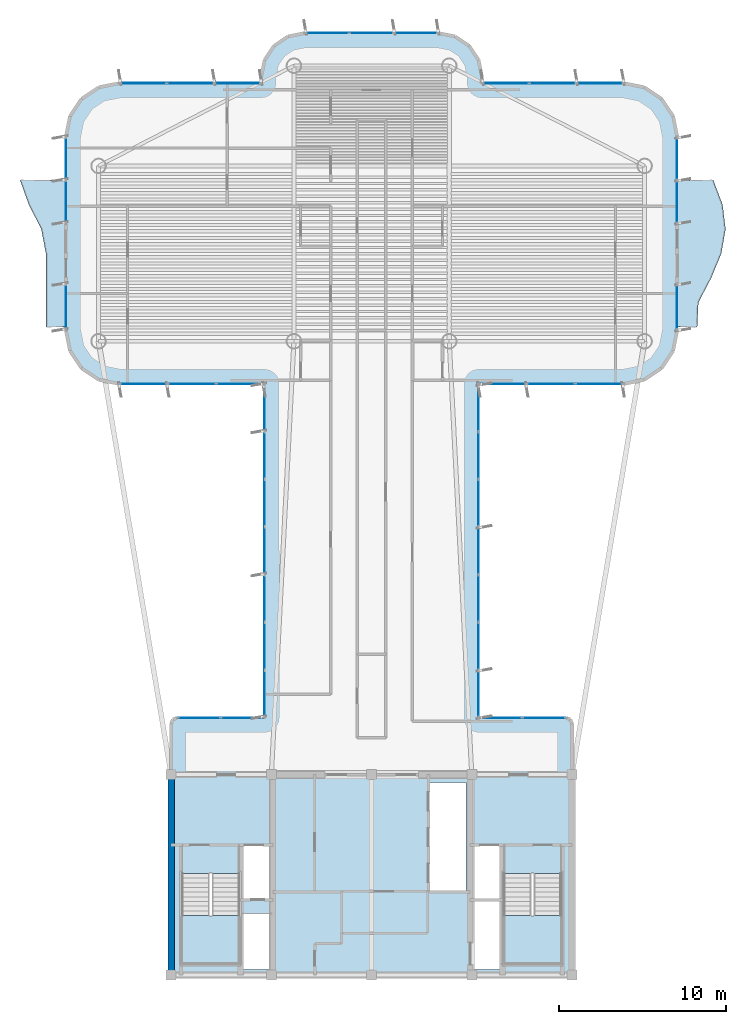
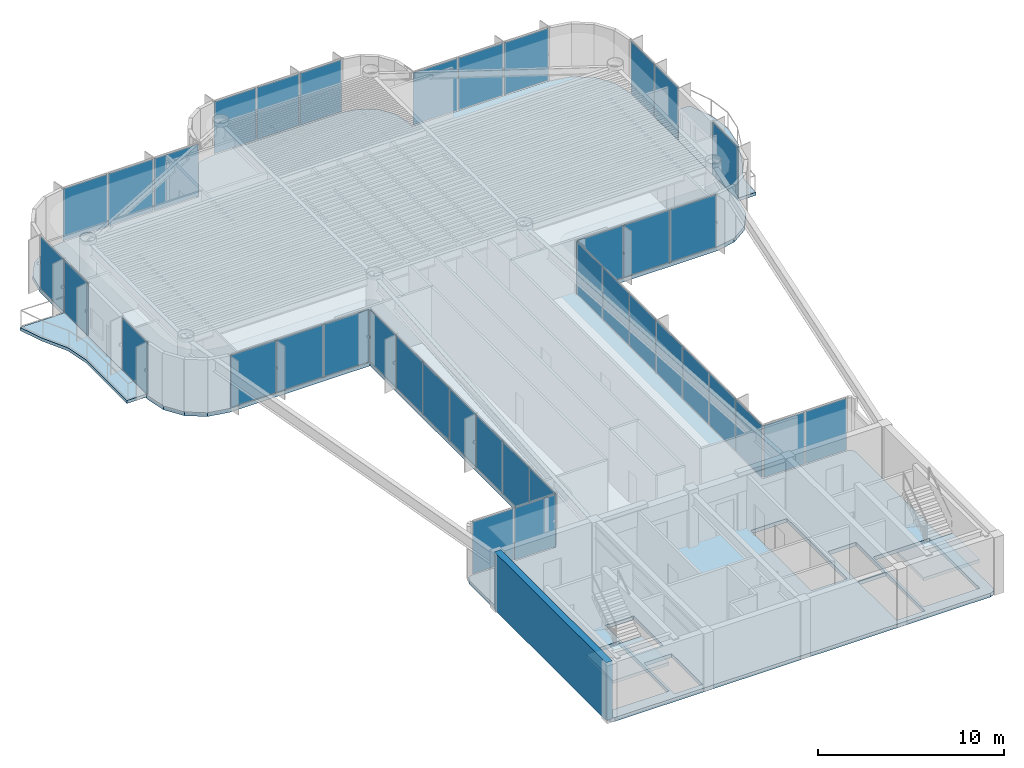
# One storey, part 9 of 15: 39 plates, 5 slabs, 1 wall, 15 elements without a shape of their own.
"""IFC4 building model written with IfcOpenShell, lengths in metres."""

from ifc_helpers import new_model, si_unit, direction, frame, frame_2d, origin, origin_2d, place, context, subcontext, project, spatial, polyline, rectangle, outline, extrude, source, transform, mapped, material, layer, layer_set, type_object, element, aggregate, save


model = new_model("IFC4")

# Units and contexts
model_context = context("Model", 3, precision=1e-05, world=origin(), true_north=direction((0.0, 1.0)))
body_context = subcontext(model_context, "Body", "Model", "MODEL_VIEW")
ifc_project = project(units=[si_unit("LENGTHUNIT", "METRE"), si_unit("AREAUNIT", "SQUARE_METRE"), si_unit("VOLUMEUNIT", "CUBIC_METRE"), si_unit("PLANEANGLEUNIT", "RADIAN"), si_unit("MASSUNIT", "GRAM", prefix="KILO")], contexts=[model_context])

# Site, building, storey
site_placement = place(None, origin())
site = spatial("IfcSite", under=ifc_project, at=site_placement, CompositionType="ELEMENT")
building_placement = place(site_placement, origin())
building = spatial("IfcBuilding", under=site, at=building_placement, Name="Brelvock Crest Care Tower", CompositionType="ELEMENT")
storey_placement = place(building_placement, frame((0.0, 0.0, 275.93994140625)))
storey = spatial("IfcBuildingStorey", under=building, at=storey_placement, Name="L70", CompositionType="ELEMENT", Elevation=275.93994140625)

# Slabs
ifc_material_1 = material(Name="Concrete N50 (50 MPa)", Category="concrete")
ifc_layer_1 = layer(ifc_material_1, 0.25, Name="SLB-FL3")
ifc_layer_set_1 = layer_set([ifc_layer_1], Name="Concrete N50 (50 MPa)")
slab_type_1 = type_object("IfcSlabType", Name="SLB-FL3", PredefinedType="FLOOR", material=ifc_layer_set_1)
slab_1_placement = place(storey_placement, frame((0.0, 0.0, -0.25)))
element("IfcSlab", 1, at=slab_1_placement, inside=storey, type_object=slab_type_1, Name="L70 Main Structural Slab", PredefinedType="FLOOR", context=body_context, shape_type="SweptSolid", body=[
    extrude(outline(polyline([(47.64990234375, 21.39990234375), (42.39990234375, 21.39990234375), (42.39990234375, 41.39990234375), (51.10009765625, 41.39990234375), (52.32470703125, 41.6435546875), (53.36279296875, 42.33740234375), (54.056396484375, 43.37548828125), (54.300048828125, 44.60009765625), (54.300048828125, 56.199951171875), (54.056396484375, 57.424560546875), (53.36279296875, 58.462646484375), (52.32470703125, 59.156494140625), (51.10009765625, 59.39990234375), (42.60009765625, 59.39990234375), (42.60009765625, 59.800048828125), (42.402099609375, 60.794921875), (41.83837890625, 61.638427734375), (40.9951171875, 62.2021484375), (40.0, 62.39990234375), (32.0, 62.39990234375), (31.0048828125, 62.2021484375), (30.16162109375, 61.638427734375), (29.597900390625, 60.794921875), (29.39990234375, 59.800048828125), (29.39990234375, 59.39990234375), (20.89990234375, 59.39990234375), (19.67529296875, 59.156494140625), (18.63720703125, 58.462646484375), (17.943603515625, 57.424560546875), (17.699951171875, 56.199951171875), (17.699951171875, 44.60009765625), (17.943603515625, 43.37548828125), (18.63720703125, 42.33740234375), (19.67529296875, 41.6435546875), (20.89990234375, 41.39990234375), (29.60009765625, 41.39990234375), (29.60009765625, 21.39990234375), (24.35009765625, 21.39990234375), (24.1025390625, 21.297607421875), (24.0, 21.050048828125), (24.0, 6.35009765625), (24.1025390625, 6.1025390625), (24.35009765625, 6.0), (47.64990234375, 6.0), (47.8974609375, 6.1025390625), (48.0, 6.35009765625), (48.0, 21.050048828125), (47.8974609375, 21.297607421875), (47.64990234375, 21.39990234375)]), holes=[polyline([(28.239990234375, 10.580078125), (29.97998046875, 10.580078125), (29.97998046875, 13.739990234375), (28.239990234375, 13.739990234375), (28.239990234375, 10.580078125)]), polyline([(42.02001953125, 10.580078125), (43.760009765625, 10.580078125), (43.760009765625, 13.739990234375), (42.02001953125, 13.739990234375), (42.02001953125, 10.580078125)]), polyline([(28.239990234375, 6.340087890625), (29.97998046875, 6.340087890625), (29.97998046875, 9.64990234375), (28.239990234375, 9.64990234375), (28.239990234375, 6.340087890625)]), polyline([(24.6298828125, 12.080078125), (24.6298828125, 6.699951171875), (28.110107421875, 6.699951171875), (28.110107421875, 12.080078125), (24.6298828125, 12.080078125)]), polyline([(43.889892578125, 12.080078125), (43.889892578125, 6.699951171875), (47.3701171875, 6.699951171875), (47.3701171875, 12.080078125), (43.889892578125, 12.080078125)]), polyline([(42.02001953125, 6.340087890625), (43.760009765625, 6.340087890625), (43.760009765625, 10.5), (42.02001953125, 10.5), (42.02001953125, 6.340087890625)]), polyline([(39.429931640625, 11.030029296875), (41.669921875, 11.030029296875), (41.669921875, 17.52001953125), (39.429931640625, 17.52001953125), (39.429931640625, 11.030029296875)])]), origin(), (0.0, 0.0, 1.0), 0.25),
])
ifc_layer_2 = layer(ifc_material_1, 0.199951171875, Name="SLB-WB2")
ifc_layer_set_2 = layer_set([ifc_layer_2], Name="Concrete N50 (50 MPa)")
slab_type_2 = type_object("IfcSlabType", Name="SLB-WB2", PredefinedType="FLOOR", material=ifc_layer_set_2)
slab_2_placement = place(storey_placement, frame((0.0, 0.0, -0.199951171875)))
element("IfcSlab", 2, at=slab_2_placement, inside=storey, type_object=slab_type_2, Name="L70 W Sinusoidal Wave Balcony Slab", PredefinedType="FLOOR", context=body_context, shape_type="SweptSolid", body=[
    extrude(outline(polyline([(17.699951171875, 53.60009765625), (14.947021484375, 53.60009765625), (15.47509765625, 52.13330078125), (16.220703125, 50.666748046875), (16.5, 49.199951171875), (16.5, 47.7333984375), (16.5, 46.2666015625), (16.5, 44.800048828125), (17.699951171875, 44.800048828125), (17.699951171875, 53.60009765625)])), origin(), (0.0, 0.0, 1.0), 0.199951171875),
])
slab_3_placement = place(storey_placement, frame((0.0, 0.0, -0.199951171875)))
element("IfcSlab", 3, at=slab_3_placement, inside=storey, type_object=slab_type_2, Name="L70 E Sinusoidal Wave Balcony Slab", PredefinedType="FLOOR", context=body_context, shape_type="SweptSolid", body=[
    extrude(outline(polyline([(54.300048828125, 44.800048828125), (55.5, 44.800048828125), (55.5693359375, 46.2666015625), (56.333740234375, 47.7333984375), (56.942138671875, 49.199951171875), (57.197998046875, 50.666748046875), (57.01904296875, 52.13330078125), (56.462890625, 53.60009765625), (54.300048828125, 53.60009765625), (54.300048828125, 44.800048828125)])), origin(), (0.0, 0.0, 1.0), 0.199951171875),
])

# Stair, slab
ifc_material_2 = material(Name="Concrete N40 (40 MPa)", Category="concrete")
stair_type = type_object("IfcStairType", Name="ST-CORE1", PredefinedType="HALF_TURN_STAIR", material=ifc_material_2)
stair_1_placement = place(storey_placement, origin())
stair_1 = element("IfcStair", 4, at=stair_1_placement, inside=storey, type_object=stair_type, Name="L70 Fire-Isolated Core Stair ST-1", PredefinedType="HALF_TURN_STAIR")
ifc_layer_3 = layer(ifc_material_2, 0.199951171875, Name="STL-1")
ifc_layer_set_3 = layer_set([ifc_layer_3], Name="Concrete N40 (40 MPa)")
slab_type_3 = type_object("IfcSlabType", Name="STL-1", PredefinedType="LANDING", material=ifc_layer_set_3)
slab_4_placement = place(storey_placement, frame((0.0, 0.0, 1.68994140625)))
slab_4 = element("IfcSlab", 5, at=slab_4_placement, type_object=slab_type_3, Name="ST-1 landing 1", PredefinedType="LANDING", context=body_context, shape_type="SweptSolid", body=[
    extrude(outline(polyline([(24.6298828125, 9.56005859375), (24.6298828125, 6.699951171875), (28.110107421875, 6.699951171875), (28.110107421875, 9.56005859375), (24.6298828125, 9.56005859375)])), origin(), (0.0, 0.0, 1.0), 0.2001953125),
])
aggregate(stair_1, [slab_4])

stair_2_placement = place(storey_placement, origin())
stair_2 = element("IfcStair", 6, at=stair_2_placement, inside=storey, type_object=stair_type, Name="L70 Fire-Isolated Core Stair ST-2", PredefinedType="HALF_TURN_STAIR")
slab_5_placement = place(storey_placement, frame((0.0, 0.0, 1.68994140625)))
slab_5 = element("IfcSlab", 7, at=slab_5_placement, type_object=slab_type_3, Name="ST-2 landing 1", PredefinedType="LANDING", context=body_context, shape_type="SweptSolid", body=[
    extrude(outline(polyline([(43.889892578125, 9.56005859375), (43.889892578125, 6.699951171875), (47.3701171875, 6.699951171875), (47.3701171875, 9.56005859375), (43.889892578125, 9.56005859375)])), origin(), (0.0, 0.0, 1.0), 0.2001953125),
])
aggregate(stair_2, [slab_5])

# Curtain wall, plates
ifc_material_3 = material(Name="Dark Glass Double Glazed Low-E", Category="glass")
ifc_layer_4 = layer(ifc_material_3, 0.239990234375, Name="CWS-5")
ifc_layer_set_4 = layer_set([ifc_layer_4], Name="Dark Glass Double Glazed Low-E")
curtain_wall_type = type_object("IfcCurtainWallType", Name="CWS-5", PredefinedType="NOTDEFINED", material=ifc_layer_set_4)
curtain_wall_1_placement = place(storey_placement, origin())
curtain_wall_1 = element("IfcCurtainWall", 8, at=curtain_wall_1_placement, inside=storey, type_object=curtain_wall_type, Name="L70 Curtain Wall E10", PredefinedType="NOTDEFINED")
ifc_layer_5 = layer(ifc_material_3, 0.0380859375, Name="CWP-V2")
ifc_layer_set_5 = layer_set([ifc_layer_5], Name="Dark Glass Double Glazed Low-E")
plate_type = type_object("IfcPlateType", Name="CWP-V2", PredefinedType="CURTAIN_PANEL", material=ifc_layer_set_5)
shared_shape_1 = source(origin(), body_context, "Body", "SweptSolid", [
    extrude(rectangle(XDim=2.534912109375, YDim=0.035888671875, at=origin_2d()), origin(), (0.0, 0.0, 1.0), 3.409912109375),
])
plate_1_placement = place(storey_placement, frame((25.677490234375, 21.39990234375, 0.06005859375), z_axis=(0.0, 0.0, 1.0), x_axis=(1.0, 0.0, 0.0)))
plate_1 = element("IfcPlate", 9, at=plate_1_placement, type_object=plate_type, Name="CW-5 panel 1.1", PredefinedType="CURTAIN_PANEL", context=body_context, shape_type="MappedRepresentation", body=[
    mapped(shared_shape_1, transform((0.0, 0.0, 0.0), x_axis=(1.0, 0.0, 0.0), y_axis=(0.0, 1.0, 0.0), z_axis=(0.0, 0.0, 1.0), scale=1.0)),
])
plate_2_placement = place(storey_placement, frame((28.2724609375, 21.39990234375, 0.06005859375), z_axis=(0.0, 0.0, 1.0), x_axis=(1.0, 0.0, 0.0)))
plate_2 = element("IfcPlate", 10, at=plate_2_placement, type_object=plate_type, Name="CW-5 panel 2.1", PredefinedType="CURTAIN_PANEL", context=body_context, shape_type="MappedRepresentation", body=[
    mapped(shared_shape_1, transform((0.0, 0.0, 0.0), x_axis=(1.0, 0.0, 0.0), y_axis=(0.0, 1.0, 0.0), z_axis=(0.0, 0.0, 1.0), scale=1.0)),
])
aggregate(curtain_wall_1, [plate_1, plate_2])

curtain_wall_2_placement = place(storey_placement, origin())
curtain_wall_2 = element("IfcCurtainWall", 11, at=curtain_wall_2_placement, inside=storey, type_object=curtain_wall_type, Name="L70 Curtain Wall E46", PredefinedType="NOTDEFINED")
plate_3_placement = place(storey_placement, frame((43.7275390625, 21.39990234375, 0.06005859375), z_axis=(0.0, 0.0, 1.0), x_axis=(1.0, 0.0, 0.0)))
plate_3 = element("IfcPlate", 12, at=plate_3_placement, type_object=plate_type, Name="CW-5 panel 1.1", PredefinedType="CURTAIN_PANEL", context=body_context, shape_type="MappedRepresentation", body=[
    mapped(shared_shape_1, transform((0.0, 0.0, 0.0), x_axis=(1.0, 0.0, 0.0), y_axis=(0.0, 1.0, 0.0), z_axis=(0.0, 0.0, 1.0), scale=1.0)),
])
plate_4_placement = place(storey_placement, frame((46.322509765625, 21.39990234375, 0.06005859375), z_axis=(0.0, 0.0, 1.0), x_axis=(1.0, 0.0, 0.0)))
plate_4 = element("IfcPlate", 13, at=plate_4_placement, type_object=plate_type, Name="CW-5 panel 2.1", PredefinedType="CURTAIN_PANEL", context=body_context, shape_type="MappedRepresentation", body=[
    mapped(shared_shape_1, transform((0.0, 0.0, 0.0), x_axis=(1.0, 0.0, 0.0), y_axis=(0.0, 1.0, 0.0), z_axis=(0.0, 0.0, 1.0), scale=1.0)),
])
aggregate(curtain_wall_2, [plate_3, plate_4])

curtain_wall_3_placement = place(storey_placement, origin())
curtain_wall_3 = element("IfcCurtainWall", 14, at=curtain_wall_3_placement, inside=storey, type_object=curtain_wall_type, Name="L70 Curtain Wall E17B", PredefinedType="NOTDEFINED")
shared_shape_2 = source(origin(), body_context, "Body", "SweptSolid", [
    extrude(rectangle(XDim=2.510009765625, YDim=0.035888671875, at=origin_2d()), origin(), (0.0, 0.0, 1.0), 3.409912109375),
])
plate_5_placement = place(storey_placement, frame((17.699951171875, 52.31494140625, 0.06005859375), z_axis=(0.0, 0.0, 1.0), x_axis=(0.0, 1.0, 0.0)))
plate_5 = element("IfcPlate", 15, at=plate_5_placement, type_object=plate_type, Name="CW-5 panel 1.1", PredefinedType="CURTAIN_PANEL", context=body_context, shape_type="MappedRepresentation", body=[
    mapped(shared_shape_2, transform((0.0, 0.0, 0.0), x_axis=(1.0, 0.0, 0.0), y_axis=(0.0, 1.0, 0.0), z_axis=(0.0, 0.0, 1.0), scale=1.0)),
])
plate_6_placement = place(storey_placement, frame((17.699951171875, 54.885009765625, 0.06005859375), z_axis=(0.0, 0.0, 1.0), x_axis=(0.0, 1.0, 0.0)))
plate_6 = element("IfcPlate", 16, at=plate_6_placement, type_object=plate_type, Name="CW-5 panel 2.1", PredefinedType="CURTAIN_PANEL", context=body_context, shape_type="MappedRepresentation", body=[
    mapped(shared_shape_2, transform((0.0, 0.0, 0.0), x_axis=(1.0, 0.0, 0.0), y_axis=(0.0, 1.0, 0.0), z_axis=(0.0, 0.0, 1.0), scale=1.0)),
])
aggregate(curtain_wall_3, [plate_5, plate_6])

curtain_wall_4_placement = place(storey_placement, origin())
curtain_wall_4 = element("IfcCurtainWall", 17, at=curtain_wall_4_placement, inside=storey, type_object=curtain_wall_type, Name="L70 Curtain Wall E39A", PredefinedType="NOTDEFINED")
plate_7_placement = place(storey_placement, frame((54.300048828125, 54.885009765625, 0.06005859375), z_axis=(0.0, 0.0, 1.0), x_axis=(0.0, -1.0, 0.0)))
plate_7 = element("IfcPlate", 18, at=plate_7_placement, type_object=plate_type, Name="CW-5 panel 1.1", PredefinedType="CURTAIN_PANEL", context=body_context, shape_type="MappedRepresentation", body=[
    mapped(shared_shape_2, transform((0.0, 0.0, 0.0), x_axis=(1.0, 0.0, 0.0), y_axis=(0.0, 1.0, 0.0), z_axis=(0.0, 0.0, 1.0), scale=1.0)),
])
plate_8_placement = place(storey_placement, frame((54.300048828125, 52.31494140625, 0.06005859375), z_axis=(0.0, 0.0, 1.0), x_axis=(0.0, -1.0, 0.0)))
plate_8 = element("IfcPlate", 19, at=plate_8_placement, type_object=plate_type, Name="CW-5 panel 2.1", PredefinedType="CURTAIN_PANEL", context=body_context, shape_type="MappedRepresentation", body=[
    mapped(shared_shape_2, transform((0.0, 0.0, 0.0), x_axis=(1.0, 0.0, 0.0), y_axis=(0.0, 1.0, 0.0), z_axis=(0.0, 0.0, 1.0), scale=1.0)),
])
aggregate(curtain_wall_4, [plate_7, plate_8])

curtain_wall_5_placement = place(storey_placement, origin())
curtain_wall_5 = element("IfcCurtainWall", 20, at=curtain_wall_5_placement, inside=storey, type_object=curtain_wall_type, Name="L70 Curtain Wall E11", PredefinedType="NOTDEFINED")
shared_shape_3 = source(origin(), body_context, "Body", "SweptSolid", [
    extrude(rectangle(XDim=2.76708984375, YDim=0.035888671875, at=origin_2d()), origin(), (0.0, 0.0, 1.0), 3.409912109375),
])
plate_9_placement = place(storey_placement, frame((29.60009765625, 22.843505859375, 0.06005859375), z_axis=(0.0, 0.0, 1.0), x_axis=(0.0, 1.0, 0.0)))
plate_9 = element("IfcPlate", 21, at=plate_9_placement, type_object=plate_type, Name="CW-5 panel 1.1", PredefinedType="CURTAIN_PANEL", context=body_context, shape_type="MappedRepresentation", body=[
    mapped(shared_shape_3, transform((0.0, 0.0, 0.0), x_axis=(1.0, 0.0, 0.0), y_axis=(0.0, 1.0, 0.0), z_axis=(0.0, 0.0, 1.0), scale=1.0)),
])
plate_10_placement = place(storey_placement, frame((29.60009765625, 39.95654296875, 0.06005859375), z_axis=(0.0, 0.0, 1.0), x_axis=(0.0, 1.0, 0.0)))
plate_10 = element("IfcPlate", 22, at=plate_10_placement, type_object=plate_type, Name="CW-5 panel 7.1", PredefinedType="CURTAIN_PANEL", context=body_context, shape_type="MappedRepresentation", body=[
    mapped(shared_shape_3, transform((0.0, 0.0, 0.0), x_axis=(1.0, 0.0, 0.0), y_axis=(0.0, 1.0, 0.0), z_axis=(0.0, 0.0, 1.0), scale=1.0)),
])

curtain_wall_6_placement = place(storey_placement, origin())
curtain_wall_6 = element("IfcCurtainWall", 23, at=curtain_wall_6_placement, inside=storey, type_object=curtain_wall_type, Name="L70 Curtain Wall E45", PredefinedType="NOTDEFINED")
plate_11_placement = place(storey_placement, frame((42.39990234375, 39.95654296875, 0.06005859375), z_axis=(0.0, 0.0, 1.0), x_axis=(0.0, -1.0, 0.0)))
plate_11 = element("IfcPlate", 24, at=plate_11_placement, type_object=plate_type, Name="CW-5 panel 1.1", PredefinedType="CURTAIN_PANEL", context=body_context, shape_type="MappedRepresentation", body=[
    mapped(shared_shape_3, transform((0.0, 0.0, 0.0), x_axis=(1.0, 0.0, 0.0), y_axis=(0.0, 1.0, 0.0), z_axis=(0.0, 0.0, 1.0), scale=1.0)),
])
plate_12_placement = place(storey_placement, frame((42.39990234375, 22.843505859375, 0.06005859375), z_axis=(0.0, 0.0, 1.0), x_axis=(0.0, -1.0, 0.0)))
plate_12 = element("IfcPlate", 25, at=plate_12_placement, type_object=plate_type, Name="CW-5 panel 7.1", PredefinedType="CURTAIN_PANEL", context=body_context, shape_type="MappedRepresentation", body=[
    mapped(shared_shape_3, transform((0.0, 0.0, 0.0), x_axis=(1.0, 0.0, 0.0), y_axis=(0.0, 1.0, 0.0), z_axis=(0.0, 0.0, 1.0), scale=1.0)),
])

# Plate
shared_shape_4 = source(origin(), body_context, "Body", "SweptSolid", [
    extrude(rectangle(XDim=2.797119140625, YDim=0.035888671875, at=origin_2d()), origin(), (0.0, 0.0, 1.0), 3.409912109375),
])
plate_13_placement = place(storey_placement, frame((29.60009765625, 25.685791015625, 0.06005859375), z_axis=(0.0, 0.0, 1.0), x_axis=(0.0, 1.0, 0.0)))
plate_13 = element("IfcPlate", 26, at=plate_13_placement, type_object=plate_type, Name="CW-5 panel 2.1", PredefinedType="CURTAIN_PANEL", context=body_context, shape_type="MappedRepresentation", body=[
    mapped(shared_shape_4, transform((0.0, 0.0, 0.0), x_axis=(1.0, 0.0, 0.0), y_axis=(0.0, 1.0, 0.0), z_axis=(0.0, 0.0, 1.0), scale=1.0)),
])

plate_14_placement = place(storey_placement, frame((29.60009765625, 28.54296875, 0.06005859375), z_axis=(0.0, 0.0, 1.0), x_axis=(0.0, 1.0, 0.0)))
plate_14 = element("IfcPlate", 27, at=plate_14_placement, type_object=plate_type, Name="CW-5 panel 3.1", PredefinedType="CURTAIN_PANEL", context=body_context, shape_type="MappedRepresentation", body=[
    mapped(shared_shape_4, transform((0.0, 0.0, 0.0), x_axis=(1.0, 0.0, 0.0), y_axis=(0.0, 1.0, 0.0), z_axis=(0.0, 0.0, 1.0), scale=1.0)),
])

plate_15_placement = place(storey_placement, frame((29.60009765625, 31.39990234375, 0.06005859375), z_axis=(0.0, 0.0, 1.0), x_axis=(0.0, 1.0, 0.0)))
plate_15 = element("IfcPlate", 28, at=plate_15_placement, type_object=plate_type, Name="CW-5 panel 4.1", PredefinedType="CURTAIN_PANEL", context=body_context, shape_type="MappedRepresentation", body=[
    mapped(shared_shape_4, transform((0.0, 0.0, 0.0), x_axis=(1.0, 0.0, 0.0), y_axis=(0.0, 1.0, 0.0), z_axis=(0.0, 0.0, 1.0), scale=1.0)),
])

plate_16_placement = place(storey_placement, frame((29.60009765625, 34.257080078125, 0.06005859375), z_axis=(0.0, 0.0, 1.0), x_axis=(0.0, 1.0, 0.0)))
plate_16 = element("IfcPlate", 29, at=plate_16_placement, type_object=plate_type, Name="CW-5 panel 5.1", PredefinedType="CURTAIN_PANEL", context=body_context, shape_type="MappedRepresentation", body=[
    mapped(shared_shape_4, transform((0.0, 0.0, 0.0), x_axis=(1.0, 0.0, 0.0), y_axis=(0.0, 1.0, 0.0), z_axis=(0.0, 0.0, 1.0), scale=1.0)),
])

plate_17_placement = place(storey_placement, frame((29.60009765625, 37.1142578125, 0.06005859375), z_axis=(0.0, 0.0, 1.0), x_axis=(0.0, 1.0, 0.0)))
plate_17 = element("IfcPlate", 30, at=plate_17_placement, type_object=plate_type, Name="CW-5 panel 6.1", PredefinedType="CURTAIN_PANEL", context=body_context, shape_type="MappedRepresentation", body=[
    mapped(shared_shape_4, transform((0.0, 0.0, 0.0), x_axis=(1.0, 0.0, 0.0), y_axis=(0.0, 1.0, 0.0), z_axis=(0.0, 0.0, 1.0), scale=1.0)),
])

aggregate(curtain_wall_5, [plate_9, plate_13, plate_14, plate_15, plate_16, plate_17, plate_10])

plate_18_placement = place(storey_placement, frame((42.39990234375, 37.1142578125, 0.06005859375), z_axis=(0.0, 0.0, 1.0), x_axis=(0.0, -1.0, 0.0)))
plate_18 = element("IfcPlate", 31, at=plate_18_placement, type_object=plate_type, Name="CW-5 panel 2.1", PredefinedType="CURTAIN_PANEL", context=body_context, shape_type="MappedRepresentation", body=[
    mapped(shared_shape_4, transform((0.0, 0.0, 0.0), x_axis=(1.0, 0.0, 0.0), y_axis=(0.0, 1.0, 0.0), z_axis=(0.0, 0.0, 1.0), scale=1.0)),
])

plate_19_placement = place(storey_placement, frame((42.39990234375, 34.257080078125, 0.06005859375), z_axis=(0.0, 0.0, 1.0), x_axis=(0.0, -1.0, 0.0)))
plate_19 = element("IfcPlate", 32, at=plate_19_placement, type_object=plate_type, Name="CW-5 panel 3.1", PredefinedType="CURTAIN_PANEL", context=body_context, shape_type="MappedRepresentation", body=[
    mapped(shared_shape_4, transform((0.0, 0.0, 0.0), x_axis=(1.0, 0.0, 0.0), y_axis=(0.0, 1.0, 0.0), z_axis=(0.0, 0.0, 1.0), scale=1.0)),
])

plate_20_placement = place(storey_placement, frame((42.39990234375, 31.39990234375, 0.06005859375), z_axis=(0.0, 0.0, 1.0), x_axis=(0.0, -1.0, 0.0)))
plate_20 = element("IfcPlate", 33, at=plate_20_placement, type_object=plate_type, Name="CW-5 panel 4.1", PredefinedType="CURTAIN_PANEL", context=body_context, shape_type="MappedRepresentation", body=[
    mapped(shared_shape_4, transform((0.0, 0.0, 0.0), x_axis=(1.0, 0.0, 0.0), y_axis=(0.0, 1.0, 0.0), z_axis=(0.0, 0.0, 1.0), scale=1.0)),
])

plate_21_placement = place(storey_placement, frame((42.39990234375, 28.54296875, 0.06005859375), z_axis=(0.0, 0.0, 1.0), x_axis=(0.0, -1.0, 0.0)))
plate_21 = element("IfcPlate", 34, at=plate_21_placement, type_object=plate_type, Name="CW-5 panel 5.1", PredefinedType="CURTAIN_PANEL", context=body_context, shape_type="MappedRepresentation", body=[
    mapped(shared_shape_4, transform((0.0, 0.0, 0.0), x_axis=(1.0, 0.0, 0.0), y_axis=(0.0, 1.0, 0.0), z_axis=(0.0, 0.0, 1.0), scale=1.0)),
])

plate_22_placement = place(storey_placement, frame((42.39990234375, 25.685791015625, 0.06005859375), z_axis=(0.0, 0.0, 1.0), x_axis=(0.0, -1.0, 0.0)))
plate_22 = element("IfcPlate", 35, at=plate_22_placement, type_object=plate_type, Name="CW-5 panel 6.1", PredefinedType="CURTAIN_PANEL", context=body_context, shape_type="MappedRepresentation", body=[
    mapped(shared_shape_4, transform((0.0, 0.0, 0.0), x_axis=(1.0, 0.0, 0.0), y_axis=(0.0, 1.0, 0.0), z_axis=(0.0, 0.0, 1.0), scale=1.0)),
])

aggregate(curtain_wall_6, [plate_11, plate_18, plate_19, plate_20, plate_21, plate_22, plate_12])

# Curtain wall, plates
curtain_wall_7_placement = place(storey_placement, origin())
curtain_wall_7 = element("IfcCurtainWall", 36, at=curtain_wall_7_placement, inside=storey, type_object=curtain_wall_type, Name="L70 Curtain Wall E12", PredefinedType="NOTDEFINED")
shared_shape_5 = source(origin(), body_context, "Body", "SweptSolid", [
    extrude(rectangle(XDim=2.81005859375, YDim=0.035888671875, at=origin_2d()), origin(), (0.0, 0.0, 1.0), 3.409912109375),
])
plate_23_placement = place(storey_placement, frame((28.135009765625, 41.39990234375, 0.06005859375), z_axis=(0.0, 0.0, 1.0), x_axis=(-1.0, 0.0, 0.0)))
plate_23 = element("IfcPlate", 37, at=plate_23_placement, type_object=plate_type, Name="CW-5 panel 1.1", PredefinedType="CURTAIN_PANEL", context=body_context, shape_type="MappedRepresentation", body=[
    mapped(shared_shape_5, transform((0.0, 0.0, 0.0), x_axis=(1.0, 0.0, 0.0), y_axis=(0.0, 1.0, 0.0), z_axis=(0.0, 0.0, 1.0), scale=1.0)),
])
plate_24_placement = place(storey_placement, frame((22.364990234375, 41.39990234375, 0.06005859375), z_axis=(0.0, 0.0, 1.0), x_axis=(-1.0, 0.0, 0.0)))
plate_24 = element("IfcPlate", 38, at=plate_24_placement, type_object=plate_type, Name="CW-5 panel 3.1", PredefinedType="CURTAIN_PANEL", context=body_context, shape_type="MappedRepresentation", body=[
    mapped(shared_shape_5, transform((0.0, 0.0, 0.0), x_axis=(1.0, 0.0, 0.0), y_axis=(0.0, 1.0, 0.0), z_axis=(0.0, 0.0, 1.0), scale=1.0)),
])

curtain_wall_8_placement = place(storey_placement, origin())
curtain_wall_8 = element("IfcCurtainWall", 39, at=curtain_wall_8_placement, inside=storey, type_object=curtain_wall_type, Name="L70 Curtain Wall E44", PredefinedType="NOTDEFINED")
plate_25_placement = place(storey_placement, frame((49.635009765625, 41.39990234375, 0.06005859375), z_axis=(0.0, 0.0, 1.0), x_axis=(-1.0, 0.0, 0.0)))
plate_25 = element("IfcPlate", 40, at=plate_25_placement, type_object=plate_type, Name="CW-5 panel 1.1", PredefinedType="CURTAIN_PANEL", context=body_context, shape_type="MappedRepresentation", body=[
    mapped(shared_shape_5, transform((0.0, 0.0, 0.0), x_axis=(1.0, 0.0, 0.0), y_axis=(0.0, 1.0, 0.0), z_axis=(0.0, 0.0, 1.0), scale=1.0)),
])
plate_26_placement = place(storey_placement, frame((43.864990234375, 41.39990234375, 0.06005859375), z_axis=(0.0, 0.0, 1.0), x_axis=(-1.0, 0.0, 0.0)))
plate_26 = element("IfcPlate", 41, at=plate_26_placement, type_object=plate_type, Name="CW-5 panel 3.1", PredefinedType="CURTAIN_PANEL", context=body_context, shape_type="MappedRepresentation", body=[
    mapped(shared_shape_5, transform((0.0, 0.0, 0.0), x_axis=(1.0, 0.0, 0.0), y_axis=(0.0, 1.0, 0.0), z_axis=(0.0, 0.0, 1.0), scale=1.0)),
])

# Plate
shared_shape_6 = source(origin(), body_context, "Body", "SweptSolid", [
    extrude(rectangle(XDim=2.840087890625, YDim=0.035888671875, at=origin_2d()), origin(), (0.0, 0.0, 1.0), 3.409912109375),
])
plate_27_placement = place(storey_placement, frame((25.25, 41.39990234375, 0.06005859375), z_axis=(0.0, 0.0, 1.0), x_axis=(-1.0, 0.0, 0.0)))
plate_27 = element("IfcPlate", 42, at=plate_27_placement, type_object=plate_type, Name="CW-5 panel 2.1", PredefinedType="CURTAIN_PANEL", context=body_context, shape_type="MappedRepresentation", body=[
    mapped(shared_shape_6, transform((0.0, 0.0, 0.0), x_axis=(1.0, 0.0, 0.0), y_axis=(0.0, 1.0, 0.0), z_axis=(0.0, 0.0, 1.0), scale=1.0)),
])

aggregate(curtain_wall_7, [plate_23, plate_27, plate_24])

plate_28_placement = place(storey_placement, frame((46.75, 41.39990234375, 0.06005859375), z_axis=(0.0, 0.0, 1.0), x_axis=(-1.0, 0.0, 0.0)))
plate_28 = element("IfcPlate", 43, at=plate_28_placement, type_object=plate_type, Name="CW-5 panel 2.1", PredefinedType="CURTAIN_PANEL", context=body_context, shape_type="MappedRepresentation", body=[
    mapped(shared_shape_6, transform((0.0, 0.0, 0.0), x_axis=(1.0, 0.0, 0.0), y_axis=(0.0, 1.0, 0.0), z_axis=(0.0, 0.0, 1.0), scale=1.0)),
])

aggregate(curtain_wall_8, [plate_25, plate_28, plate_26])

# Curtain wall, plates
curtain_wall_9_placement = place(storey_placement, origin())
curtain_wall_9 = element("IfcCurtainWall", 44, at=curtain_wall_9_placement, inside=storey, type_object=curtain_wall_type, Name="L70 Curtain Wall E22", PredefinedType="NOTDEFINED")
shared_shape_7 = source(origin(), body_context, "Body", "SweptSolid", [
    extrude(rectangle(XDim=2.743408203125, YDim=0.035888671875, at=origin_2d()), origin(), (0.0, 0.0, 1.0), 3.409912109375),
])
plate_29_placement = place(storey_placement, frame((22.331787109375, 59.39990234375, 0.06005859375), z_axis=(0.0, 0.0, 1.0), x_axis=(1.0, 0.0, 0.0)))
plate_29 = element("IfcPlate", 45, at=plate_29_placement, type_object=plate_type, Name="CW-5 panel 1.1", PredefinedType="CURTAIN_PANEL", context=body_context, shape_type="MappedRepresentation", body=[
    mapped(shared_shape_7, transform((0.0, 0.0, 0.0), x_axis=(1.0, 0.0, 0.0), y_axis=(0.0, 1.0, 0.0), z_axis=(0.0, 0.0, 1.0), scale=1.0)),
])
plate_30_placement = place(storey_placement, frame((27.96826171875, 59.39990234375, 0.06005859375), z_axis=(0.0, 0.0, 1.0), x_axis=(1.0, 0.0, 0.0)))
plate_30 = element("IfcPlate", 46, at=plate_30_placement, type_object=plate_type, Name="CW-5 panel 3.1", PredefinedType="CURTAIN_PANEL", context=body_context, shape_type="MappedRepresentation", body=[
    mapped(shared_shape_7, transform((0.0, 0.0, 0.0), x_axis=(1.0, 0.0, 0.0), y_axis=(0.0, 1.0, 0.0), z_axis=(0.0, 0.0, 1.0), scale=1.0)),
])

curtain_wall_10_placement = place(storey_placement, origin())
curtain_wall_10 = element("IfcCurtainWall", 47, at=curtain_wall_10_placement, inside=storey, type_object=curtain_wall_type, Name="L70 Curtain Wall E34", PredefinedType="NOTDEFINED")
plate_31_placement = place(storey_placement, frame((44.03173828125, 59.39990234375, 0.06005859375), z_axis=(0.0, 0.0, 1.0), x_axis=(1.0, 0.0, 0.0)))
plate_31 = element("IfcPlate", 48, at=plate_31_placement, type_object=plate_type, Name="CW-5 panel 1.1", PredefinedType="CURTAIN_PANEL", context=body_context, shape_type="MappedRepresentation", body=[
    mapped(shared_shape_7, transform((0.0, 0.0, 0.0), x_axis=(1.0, 0.0, 0.0), y_axis=(0.0, 1.0, 0.0), z_axis=(0.0, 0.0, 1.0), scale=1.0)),
])
plate_32_placement = place(storey_placement, frame((49.668212890625, 59.39990234375, 0.06005859375), z_axis=(0.0, 0.0, 1.0), x_axis=(1.0, 0.0, 0.0)))
plate_32 = element("IfcPlate", 49, at=plate_32_placement, type_object=plate_type, Name="CW-5 panel 3.1", PredefinedType="CURTAIN_PANEL", context=body_context, shape_type="MappedRepresentation", body=[
    mapped(shared_shape_7, transform((0.0, 0.0, 0.0), x_axis=(1.0, 0.0, 0.0), y_axis=(0.0, 1.0, 0.0), z_axis=(0.0, 0.0, 1.0), scale=1.0)),
])

# Plate
shared_shape_8 = source(origin(), body_context, "Body", "SweptSolid", [
    extrude(rectangle(XDim=2.7734375, YDim=0.035888671875, at=origin_2d()), origin(), (0.0, 0.0, 1.0), 3.409912109375),
])
plate_33_placement = place(storey_placement, frame((25.14990234375, 59.39990234375, 0.06005859375), z_axis=(0.0, 0.0, 1.0), x_axis=(1.0, 0.0, 0.0)))
plate_33 = element("IfcPlate", 50, at=plate_33_placement, type_object=plate_type, Name="CW-5 panel 2.1", PredefinedType="CURTAIN_PANEL", context=body_context, shape_type="MappedRepresentation", body=[
    mapped(shared_shape_8, transform((0.0, 0.0, 0.0), x_axis=(1.0, 0.0, 0.0), y_axis=(0.0, 1.0, 0.0), z_axis=(0.0, 0.0, 1.0), scale=1.0)),
])

aggregate(curtain_wall_9, [plate_29, plate_33, plate_30])

plate_34_placement = place(storey_placement, frame((46.85009765625, 59.39990234375, 0.06005859375), z_axis=(0.0, 0.0, 1.0), x_axis=(1.0, 0.0, 0.0)))
plate_34 = element("IfcPlate", 51, at=plate_34_placement, type_object=plate_type, Name="CW-5 panel 2.1", PredefinedType="CURTAIN_PANEL", context=body_context, shape_type="MappedRepresentation", body=[
    mapped(shared_shape_8, transform((0.0, 0.0, 0.0), x_axis=(1.0, 0.0, 0.0), y_axis=(0.0, 1.0, 0.0), z_axis=(0.0, 0.0, 1.0), scale=1.0)),
])

aggregate(curtain_wall_10, [plate_31, plate_34, plate_32])

# Curtain wall, plates
curtain_wall_11_placement = place(storey_placement, origin())
curtain_wall_11 = element("IfcCurtainWall", 52, at=curtain_wall_11_placement, inside=storey, type_object=curtain_wall_type, Name="L70 Curtain Wall E28", PredefinedType="NOTDEFINED")
shared_shape_9 = source(origin(), body_context, "Body", "SweptSolid", [
    extrude(rectangle(XDim=2.57666015625, YDim=0.035888671875, at=origin_2d()), origin(), (0.0, 0.0, 1.0), 3.409912109375),
])
plate_35_placement = place(storey_placement, frame((33.348388671875, 62.39990234375, 0.06005859375), z_axis=(0.0, 0.0, 1.0), x_axis=(1.0, 0.0, 0.0)))
plate_35 = element("IfcPlate", 53, at=plate_35_placement, type_object=plate_type, Name="CW-5 panel 1.1", PredefinedType="CURTAIN_PANEL", context=body_context, shape_type="MappedRepresentation", body=[
    mapped(shared_shape_9, transform((0.0, 0.0, 0.0), x_axis=(1.0, 0.0, 0.0), y_axis=(0.0, 1.0, 0.0), z_axis=(0.0, 0.0, 1.0), scale=1.0)),
])
plate_36_placement = place(storey_placement, frame((38.651611328125, 62.39990234375, 0.06005859375), z_axis=(0.0, 0.0, 1.0), x_axis=(1.0, 0.0, 0.0)))
plate_36 = element("IfcPlate", 54, at=plate_36_placement, type_object=plate_type, Name="CW-5 panel 3.1", PredefinedType="CURTAIN_PANEL", context=body_context, shape_type="MappedRepresentation", body=[
    mapped(shared_shape_9, transform((0.0, 0.0, 0.0), x_axis=(1.0, 0.0, 0.0), y_axis=(0.0, 1.0, 0.0), z_axis=(0.0, 0.0, 1.0), scale=1.0)),
])
shared_shape_10 = source(origin(), body_context, "Body", "SweptSolid", [
    extrude(rectangle(XDim=2.606689453125, YDim=0.035888671875, at=origin_2d()), origin(), (0.0, 0.0, 1.0), 3.409912109375),
])
plate_37_placement = place(storey_placement, frame((36.0, 62.39990234375, 0.06005859375), z_axis=(0.0, 0.0, 1.0), x_axis=(1.0, 0.0, 0.0)))
plate_37 = element("IfcPlate", 55, at=plate_37_placement, type_object=plate_type, Name="CW-5 panel 2.1", PredefinedType="CURTAIN_PANEL", context=body_context, shape_type="MappedRepresentation", body=[
    mapped(shared_shape_10, transform((0.0, 0.0, 0.0), x_axis=(1.0, 0.0, 0.0), y_axis=(0.0, 1.0, 0.0), z_axis=(0.0, 0.0, 1.0), scale=1.0)),
])
aggregate(curtain_wall_11, [plate_35, plate_37, plate_36])

# Curtain wall, plate
curtain_wall_12_placement = place(storey_placement, origin())
curtain_wall_12 = element("IfcCurtainWall", 56, at=curtain_wall_12_placement, inside=storey, type_object=curtain_wall_type, Name="L70 Curtain Wall E17A", PredefinedType="NOTDEFINED")
shared_shape_11 = source(origin(), body_context, "Body", "SweptSolid", [
    extrude(rectangle(XDim=2.679931640625, YDim=0.035888671875, at=origin_2d()), origin(), (0.0, 0.0, 1.0), 3.409912109375),
])
plate_38_placement = place(storey_placement, frame((17.699951171875, 46.0, 0.06005859375), z_axis=(0.0, 0.0, 1.0), x_axis=(0.0, 1.0, 0.0)))
plate_38 = element("IfcPlate", 57, at=plate_38_placement, type_object=plate_type, Name="CW-5 panel 1.1", PredefinedType="CURTAIN_PANEL", context=body_context, shape_type="MappedRepresentation", body=[
    mapped(shared_shape_11, transform((0.0, 0.0, 0.0), x_axis=(1.0, 0.0, 0.0), y_axis=(0.0, 1.0, 0.0), z_axis=(0.0, 0.0, 1.0), scale=1.0)),
])
aggregate(curtain_wall_12, [plate_38])

curtain_wall_13_placement = place(storey_placement, origin())
curtain_wall_13 = element("IfcCurtainWall", 58, at=curtain_wall_13_placement, inside=storey, type_object=curtain_wall_type, Name="L70 Curtain Wall E39B", PredefinedType="NOTDEFINED")
plate_39_placement = place(storey_placement, frame((54.300048828125, 46.0, 0.06005859375), z_axis=(0.0, 0.0, 1.0), x_axis=(0.0, -1.0, 0.0)))
plate_39 = element("IfcPlate", 59, at=plate_39_placement, type_object=plate_type, Name="CW-5 panel 1.1", PredefinedType="CURTAIN_PANEL", context=body_context, shape_type="MappedRepresentation", body=[
    mapped(shared_shape_11, transform((0.0, 0.0, 0.0), x_axis=(1.0, 0.0, 0.0), y_axis=(0.0, 1.0, 0.0), z_axis=(0.0, 0.0, 1.0), scale=1.0)),
])
aggregate(curtain_wall_13, [plate_39])

# Wall
ifc_material_4 = material(Name="Concrete S65 (65 MPa)", Category="concrete")
ifc_layer_6 = layer(ifc_material_4, 0.39990234375, Name="WL-CS4")
ifc_layer_set_6 = layer_set([ifc_layer_6], Name="Concrete S65 (65 MPa)")
wall_type = type_object("IfcWallType", Name="WL-CS4", PredefinedType="SHEAR", material=ifc_layer_set_6)
wall_placement = place(storey_placement, frame((24.0, 6.0, 0.0), z_axis=(0.0, 0.0, 1.0), x_axis=(0.0, 1.0, 0.0)))
element("IfcWall", 60, at=wall_placement, inside=storey, type_object=wall_type, Name="L70 Core West Shear Wall", PredefinedType="SHEAR", context=body_context, shape_type="SweptSolid", body=[
    extrude(rectangle(XDim=12.0, YDim=0.39990234375, at=frame_2d((6.0, 0.0))), origin(), (0.0, 0.0, 1.0), 3.780029296875),
])

save(model, "model.ifc")
